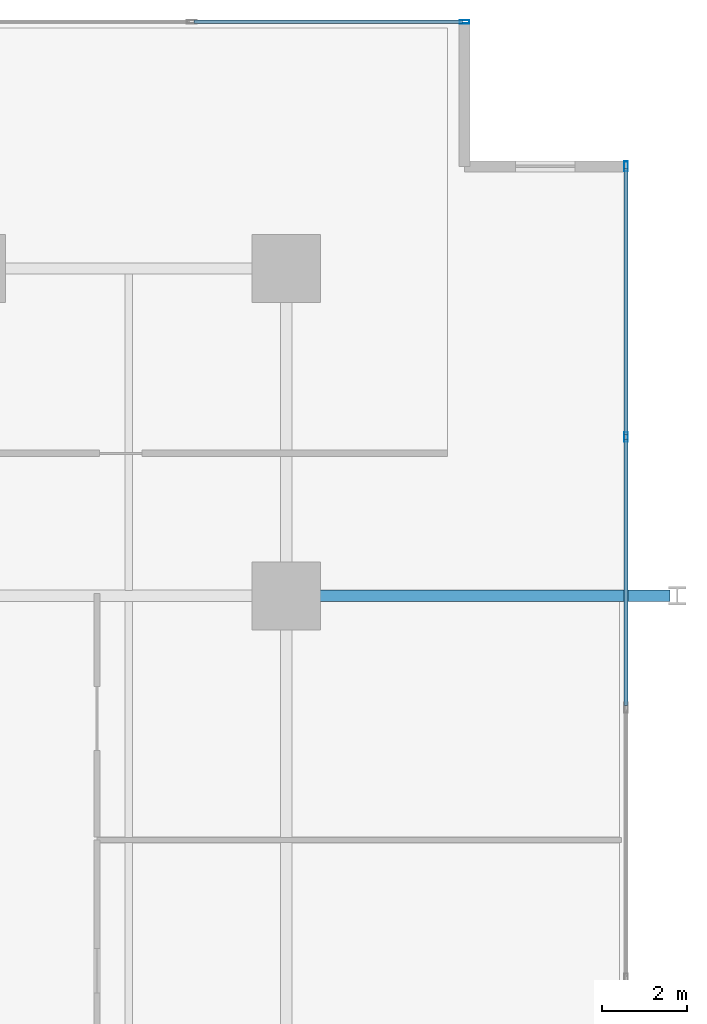
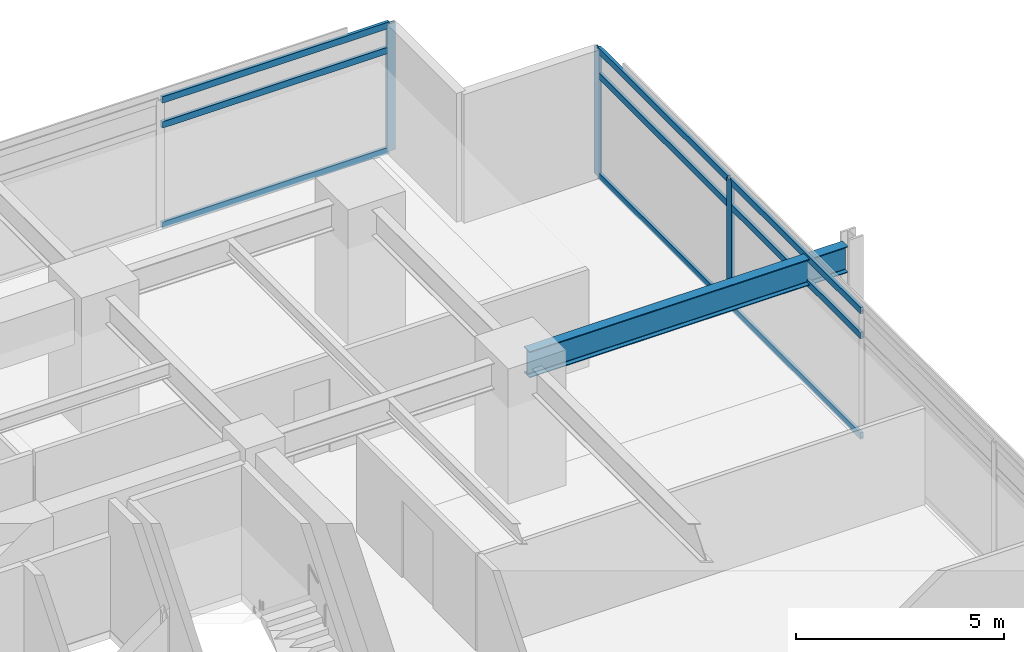
# One storey, part 12 of 23: 12 members, 1 beam, 2 elements without a shape of their own.
"""IFC4 building model written with IfcOpenShell, lengths in metres."""

import ifcopenshell
import ifcopenshell.guid

model = None  # the IFC model being written
_history = None  # IfcOwnerHistory: only IFC2X3 demands one
_inside = {}  # id of a spatial element -> (the spatial element, [elements in it])
_under = {}  # id of a project, library or spatial element -> (it, [spatial elements below it])
_declared = {}  # id of a project -> (the project, [libraries it declares])
_typed = {}  # id of a type object -> (the type object, [elements of that type])
_made_of = {}  # id of a material, layer set ... -> (it, [elements and type objects made of it])


def new_model(schema):
    """Start an empty IFC model of exactly this schema.

    Asked for "IFC4X3", IfcOpenShell would pick the latest addendum, in which some entities
    have other attributes; the version numbers below select the first issue.
    IFC2X3 requires an IfcOwnerHistory on every rooted entity: one is made here for all.
    """
    global model, _history
    if schema == "IFC4X3":
        model = ifcopenshell.file(schema_version=(4, 3, 0, 0))
    else:
        model = ifcopenshell.file(schema=schema)
    _inside.clear()
    _under.clear()
    _declared.clear()
    _typed.clear()
    _made_of.clear()
    _history = None
    if model.schema == "IFC2X3":
        org = make("IfcOrganization", Name="unknown")
        user = make(
            "IfcPersonAndOrganization",
            ThePerson=make("IfcPerson", FamilyName="unknown"),
            TheOrganization=org,
        )
        app = make(
            "IfcApplication",
            ApplicationDeveloper=org,
            Version="unknown",
            ApplicationFullName="unknown",
            ApplicationIdentifier="unknown",
        )
        _history = make(
            "IfcOwnerHistory",
            OwningUser=user,
            OwningApplication=app,
            ChangeAction="ADDED",
            CreationDate=0,
        )
    return model


def make(cls, **values):
    """One entity of the class cls with the attributes given. An attribute that is None is left unset."""
    return model.create_entity(
        cls, **{name: value for name, value in values.items() if value is not None}
    )


def rooted(cls, **values):
    """An entity with a GlobalId (a new one), such as an element, a storey or a relation."""
    return make(cls, GlobalId=ifcopenshell.guid.new(), OwnerHistory=_history, **values)


def si_unit(unit_type, name, prefix=None):
    """IfcSIUnit, for example si_unit("LENGTHUNIT", "METRE", prefix="MILLI")."""
    return make("IfcSIUnit", UnitType=unit_type, Prefix=prefix, Name=name)


def assignment(units):
    """IfcUnitAssignment: the units of a project."""
    return None if units is None else make("IfcUnitAssignment", Units=units)


def point(xyz):
    """IfcCartesianPoint."""
    return None if xyz is None else make("IfcCartesianPoint", Coordinates=xyz)


def direction(xyz):
    """IfcDirection."""
    return None if xyz is None else make("IfcDirection", DirectionRatios=xyz)


def frame(location, z_axis=None, x_axis=None):
    """IfcAxis2Placement3D, a coordinate frame: its origin and axes. An axis left out is left unset."""
    return make(
        "IfcAxis2Placement3D",
        Location=point(location),
        Axis=direction(z_axis),
        RefDirection=direction(x_axis),
    )


def frame_2d(location, x_axis=None):
    """IfcAxis2Placement2D, a coordinate frame in the plane: its origin and x axis."""
    return make(
        "IfcAxis2Placement2D", Location=point(location), RefDirection=direction(x_axis)
    )


def origin():
    """The frame at (0, 0, 0) with its axes left unset."""
    return frame((0.0, 0.0, 0.0))


def origin_2d():
    """The frame at (0, 0) in the plane with its x axis left unset."""
    return frame_2d((0.0, 0.0))


def place(relative_to, where):
    """IfcLocalPlacement: puts the frame where relative to a parent placement (None: the world)."""
    return make(
        "IfcLocalPlacement", PlacementRelTo=relative_to, RelativePlacement=where
    )


def context(
    kind, dimensions, precision=None, world=None, true_north=None, identifier=None
):
    """IfcGeometricRepresentationContext, for example the 3D "Model" context."""
    return make(
        "IfcGeometricRepresentationContext",
        ContextIdentifier=identifier,
        ContextType=kind,
        CoordinateSpaceDimension=dimensions,
        Precision=precision,
        WorldCoordinateSystem=world,
        TrueNorth=true_north,
    )


def subcontext(parent, identifier, kind, view, scale=None):
    """IfcGeometricRepresentationSubContext, for example "Body" below "Model"."""
    return make(
        "IfcGeometricRepresentationSubContext",
        ContextIdentifier=identifier,
        ContextType=kind,
        ParentContext=parent,
        TargetScale=scale,
        TargetView=view,
    )


def project(units=None, contexts=None):
    """IfcProject with its units and contexts."""
    return rooted(
        "IfcProject",
        Name="project",
        RepresentationContexts=contexts,
        UnitsInContext=assignment(units),
    )


def spatial(cls, under=None, at=None, **own):
    """A site, building, storey or space (cls), placed at a placement, below another one or the project."""
    s = rooted(cls, ObjectPlacement=at, **own)
    if under is not None:
        _under.setdefault(under.id(), (under, []))[1].append(s)
    return s


def profile(cls, at=None, kind="AREA", **sizes):
    """A parametric profile (cls). Its sizes go by their IFC names, for example OverallWidth=200.0."""
    return make(cls, ProfileType=kind, Position=at, **sizes)


def hollow_rectangle(**sizes):
    """IfcRectangleHollowProfileDef."""
    return profile("IfcRectangleHollowProfileDef", **sizes)


def i_section(**sizes):
    """IfcIShapeProfileDef."""
    return profile("IfcIShapeProfileDef", **sizes)


def extrude(swept, where, along, depth):
    """IfcExtrudedAreaSolid: the profile swept, set in the frame where, extruded along a direction by depth."""
    return make(
        "IfcExtrudedAreaSolid",
        SweptArea=swept,
        Position=where,
        ExtrudedDirection=direction(along),
        Depth=depth,
    )


def shape(context_of_items, identifier, shape_type, items):
    """IfcShapeRepresentation: the items that make up one representation, for example the "Body"."""
    return make(
        "IfcShapeRepresentation",
        ContextOfItems=context_of_items,
        RepresentationIdentifier=identifier,
        RepresentationType=shape_type,
        Items=items,
    )


def material(Name=None, Category=None):
    """IfcMaterial."""
    return make("IfcMaterial", Name=Name, Category=Category)


def material_profile(
    of_material, cross_section, Name=None, Category=None, Priority=None
):
    """IfcMaterialProfile: a cross section and its material."""
    return make(
        "IfcMaterialProfile",
        Name=Name,
        Material=of_material,
        Profile=cross_section,
        Priority=Priority,
        Category=Category,
    )


def profile_set(profiles, Name=None, composite=None):
    """IfcMaterialProfileSet."""
    return make(
        "IfcMaterialProfileSet",
        Name=Name,
        MaterialProfiles=profiles,
        CompositeProfile=composite,
    )


def made_of(thing, what):
    """Note that an element or type object is made of a material, layer set ...; save() writes the relation."""
    if what is not None:
        _made_of.setdefault(what.id(), (what, []))[1].append(thing)
    return thing


def type_object(cls, material=None, **own):
    """A type object (cls), such as IfcWallType, which elements share."""
    return made_of(rooted(cls, **own), material)


def element(
    cls,
    number,
    at=None,
    inside=None,
    cuts=None,
    type_object=None,
    material=None,
    context=None,
    identifier="Body",
    shape_type=None,
    held_by="IfcProductDefinitionShape",
    body=None,
    shapes=None,
    **own,
):
    """One element of the class cls, such as IfcWall. Its Tag is "e" and its number.

    at: its placement. inside: the storey or other place that contains it. cuts: it is an
    opening in that element (IfcRelVoidsElement). A single representation is given by context,
    identifier, shape_type and body (its items); several are given by shapes. held_by: the class
    of the entity that holds the representations. save() writes the other relations.
    """
    e = rooted(cls, Tag="e%d" % number, ObjectPlacement=at, **own)
    if body is not None:
        shapes = [shape(context, identifier, shape_type, body)]
    if shapes is not None:
        e.Representation = make(held_by, Representations=shapes)
    if inside is not None:
        _inside.setdefault(inside.id(), (inside, []))[1].append(e)
    if cuts is not None:
        rooted(
            "IfcRelVoidsElement", RelatingBuildingElement=cuts, RelatedOpeningElement=e
        )
    if type_object is not None:
        _typed.setdefault(type_object.id(), (type_object, []))[1].append(e)
    return made_of(e, material)


def aggregate(whole, parts):
    """IfcRelAggregates: a whole, such as a stair, and the parts it consists of."""
    return rooted("IfcRelAggregates", RelatingObject=whole, RelatedObjects=parts)


def save(model, path):
    """Write the relations noted so far, then the file.

    IfcRelAggregates (storeys below a building ...), IfcRelContainedInSpatialStructure (elements
    in a storey), IfcRelDefinesByType, IfcRelAssociatesMaterial and IfcRelDeclares: one each for
    every whole, place, type object, material and project.
    """
    for whole, parts in _under.values():
        aggregate(whole, parts)
    for where, things in _inside.values():
        rooted(
            "IfcRelContainedInSpatialStructure",
            RelatedElements=things,
            RelatingStructure=where,
        )
    for kind, things in _typed.values():
        rooted("IfcRelDefinesByType", RelatedObjects=things, RelatingType=kind)
    for what, things in _made_of.values():
        rooted("IfcRelAssociatesMaterial", RelatedObjects=things, RelatingMaterial=what)
    for by, libraries in _declared.values():
        rooted("IfcRelDeclares", RelatingContext=by, RelatedDefinitions=libraries)
    model.write(path)


model = new_model("IFC4")

# Units and contexts
model_context = context("Model", 3, precision=1e-05, world=origin(), true_north=direction((0.0, 1.0)))
body_context = subcontext(model_context, "Body", "Model", "MODEL_VIEW")
ifc_project = project(units=[si_unit("LENGTHUNIT", "METRE"), si_unit("AREAUNIT", "SQUARE_METRE"), si_unit("VOLUMEUNIT", "CUBIC_METRE"), si_unit("PLANEANGLEUNIT", "RADIAN"), si_unit("MASSUNIT", "GRAM", prefix="KILO")], contexts=[model_context])

# Site, building, storey
site_placement = place(None, origin())
site = spatial("IfcSite", under=ifc_project, at=site_placement, CompositionType="ELEMENT")
building_placement = place(site_placement, origin())
building = spatial("IfcBuilding", under=site, at=building_placement, Name="Kovane Verandah Tower", CompositionType="ELEMENT")
storey_placement = place(building_placement, frame((0.0, 0.0, 136.39990234375)))
storey = spatial("IfcBuildingStorey", under=building, at=storey_placement, Name="L31", CompositionType="ELEMENT", Elevation=136.39990234375)

# Beam
ifc_material_1 = material(Name="Steel S355", Category="steel")
ifc_material_profile_1 = material_profile(ifc_material_1, i_section(OverallWidth=0.26806640625, OverallDepth=0.769775390625, WebThickness=0.015625, FlangeThickness=0.025390625, FilletRadius=0.0166015625, at=origin_2d()), Name="UB762x267x197")
ifc_profile_set_1 = profile_set([ifc_material_profile_1], Name="Steel S355")
beam_type = type_object("IfcBeamType", Name="BM-UB762x197", PredefinedType="BEAM", material=ifc_profile_set_1)
beam_placement = place(storey_placement, frame((58.580078125, 36.5, 3.375244140625), z_axis=(1.0, 0.0, 0.0), x_axis=(0.0, 1.0, 0.0)))
element("IfcBeam", 1, at=beam_placement, inside=storey, type_object=beam_type, Name="L31 Primary Tower Girder G-VE2", PredefinedType="BEAM", context=body_context, shape_type="SweptSolid", body=[
    extrude(i_section(OverallWidth=0.26806640625, OverallDepth=0.769775390625, WebThickness=0.015625, FlangeThickness=0.025390625, FilletRadius=0.0166015625, at=origin_2d()), origin(), (0.0, 0.0, 1.0), 8.83984375),
])

# Curtain wall, members
ifc_material_2 = material(Name="Champagne Anodised Aluminium Frame with Low-E Clear Laminated Glass", Category="aluminium")
curtain_wall_type = type_object("IfcCurtainWallType", Name="CW-SYS-03-MID", PredefinedType="NOTDEFINED", material=ifc_material_2)
curtain_wall_1_placement = place(storey_placement, origin())
curtain_wall_1 = element("IfcCurtainWall", 2, at=curtain_wall_1_placement, inside=storey, type_object=curtain_wall_type, Name="L31 E Unitised Curtain Wall", PredefinedType="NOTDEFINED")
ifc_material_3 = material(Name="Champagne Anodised Aluminium 6063-T6", Category="aluminium")
ifc_material_profile_2 = material_profile(ifc_material_3, hollow_rectangle(XDim=0.0849609375, YDim=0.22998046875, WallThickness=0.00390625, at=origin_2d()), Name="AL85x230x4")
ifc_profile_set_2 = profile_set([ifc_material_profile_2], Name="Champagne Anodised Aluminium 6063-T6")
member_type_1 = type_object("IfcMemberType", Name="CW-MUL-85x230", PredefinedType="MULLION", material=ifc_profile_set_2)
member_1_placement = place(storey_placement, frame((66.3896484375, 40.233642578125, 0.02001953125), z_axis=(0.0, 0.0, 1.0), x_axis=(1.0, 0.0, 0.0)))
member_1 = element("IfcMember", 3, at=member_1_placement, type_object=member_type_1, Name="L31 E Unitised Curtain Wall Mullion 6", PredefinedType="MULLION", context=body_context, shape_type="SweptSolid", body=[
    extrude(hollow_rectangle(XDim=0.0849609375, YDim=0.22998046875, WallThickness=0.00390625, at=origin_2d()), origin(), (0.0, 0.0, 1.0), 3.735107421875),
])
member_2_placement = place(storey_placement, frame((66.3896484375, 46.6005859375, 0.02001953125), z_axis=(0.0, 0.0, 1.0), x_axis=(1.0, 0.0, 0.0)))
member_2 = element("IfcMember", 4, at=member_2_placement, type_object=member_type_1, Name="L31 E Unitised Curtain Wall Mullion 7", PredefinedType="MULLION", context=body_context, shape_type="SweptSolid", body=[
    extrude(hollow_rectangle(XDim=0.0849609375, YDim=0.22998046875, WallThickness=0.00390625, at=origin_2d()), origin(), (0.0, 0.0, 1.0), 3.735107421875),
])

# Curtain wall, member
curtain_wall_2_placement = place(storey_placement, origin())
curtain_wall_2 = element("IfcCurtainWall", 5, at=curtain_wall_2_placement, inside=storey, type_object=curtain_wall_type, Name="L31 N Unitised Curtain Wall", PredefinedType="NOTDEFINED")
member_3_placement = place(storey_placement, frame((62.589599609375, 50.00048828125, 0.02001953125), z_axis=(0.0, 0.0, 1.0), x_axis=(0.0, 1.0, 0.0)))
member_3 = element("IfcMember", 6, at=member_3_placement, type_object=member_type_1, Name="L31 N Unitised Curtain Wall Mullion 1", PredefinedType="MULLION", context=body_context, shape_type="SweptSolid", body=[
    extrude(hollow_rectangle(XDim=0.0849609375, YDim=0.22998046875, WallThickness=0.00390625, at=origin_2d()), origin(), (0.0, 0.0, 1.0), 3.735107421875),
])

# Member
ifc_material_profile_3 = material_profile(ifc_material_3, hollow_rectangle(XDim=0.0849609375, YDim=0.18994140625, WallThickness=0.00390625, at=origin_2d()), Name="AL85x190x4")
ifc_profile_set_3 = profile_set([ifc_material_profile_3], Name="Champagne Anodised Aluminium 6063-T6")
member_type_2 = type_object("IfcMemberType", Name="CW-TRN-85x190", PredefinedType="USERDEFINED", material=ifc_profile_set_3)
member_4_placement = place(storey_placement, frame((66.3896484375, 33.916748046875, 0.050048828125), z_axis=(0.0, 1.0, 0.0), x_axis=(-1.0, 0.0, 0.0)))
member_4 = element("IfcMember", 7, at=member_4_placement, type_object=member_type_2, Name="L31 E Unitised Curtain Wall Transom TB Bay 5", ObjectType="TRANSOM", PredefinedType="USERDEFINED", context=body_context, shape_type="SweptSolid", body=[
    extrude(hollow_rectangle(XDim=0.0849609375, YDim=0.18994140625, WallThickness=0.00390625, at=origin_2d()), origin(), (0.0, 0.0, 1.0), 6.266845703125),
])

member_5_placement = place(storey_placement, frame((66.3896484375, 33.916748046875, 2.9951171875), z_axis=(0.0, 1.0, 0.0), x_axis=(-1.0, 0.0, 0.0)))
member_5 = element("IfcMember", 8, at=member_5_placement, type_object=member_type_2, Name="L31 E Unitised Curtain Wall Transom TM Bay 5", ObjectType="TRANSOM", PredefinedType="USERDEFINED", context=body_context, shape_type="SweptSolid", body=[
    extrude(hollow_rectangle(XDim=0.0849609375, YDim=0.18994140625, WallThickness=0.00390625, at=origin_2d()), origin(), (0.0, 0.0, 1.0), 6.266845703125),
])

member_6_placement = place(storey_placement, frame((66.3896484375, 33.916748046875, 3.72509765625), z_axis=(0.0, 1.0, 0.0), x_axis=(-1.0, 0.0, 0.0)))
member_6 = element("IfcMember", 9, at=member_6_placement, type_object=member_type_2, Name="L31 E Unitised Curtain Wall Transom TT Bay 5", ObjectType="TRANSOM", PredefinedType="USERDEFINED", context=body_context, shape_type="SweptSolid", body=[
    extrude(hollow_rectangle(XDim=0.0849609375, YDim=0.18994140625, WallThickness=0.00390625, at=origin_2d()), origin(), (0.0, 0.0, 1.0), 6.266845703125),
])

member_7_placement = place(storey_placement, frame((66.3896484375, 40.28369140625, 0.050048828125), z_axis=(0.0, 1.0, 0.0), x_axis=(-1.0, 0.0, 0.0)))
member_7 = element("IfcMember", 10, at=member_7_placement, type_object=member_type_2, Name="L31 E Unitised Curtain Wall Transom TB Bay 6", ObjectType="TRANSOM", PredefinedType="USERDEFINED", context=body_context, shape_type="SweptSolid", body=[
    extrude(hollow_rectangle(XDim=0.0849609375, YDim=0.18994140625, WallThickness=0.00390625, at=origin_2d()), origin(), (0.0, 0.0, 1.0), 6.266845703125),
])

member_8_placement = place(storey_placement, frame((66.3896484375, 40.28369140625, 2.9951171875), z_axis=(0.0, 1.0, 0.0), x_axis=(-1.0, 0.0, 0.0)))
member_8 = element("IfcMember", 11, at=member_8_placement, type_object=member_type_2, Name="L31 E Unitised Curtain Wall Transom TM Bay 6", ObjectType="TRANSOM", PredefinedType="USERDEFINED", context=body_context, shape_type="SweptSolid", body=[
    extrude(hollow_rectangle(XDim=0.0849609375, YDim=0.18994140625, WallThickness=0.00390625, at=origin_2d()), origin(), (0.0, 0.0, 1.0), 6.266845703125),
])

member_9_placement = place(storey_placement, frame((66.3896484375, 40.28369140625, 3.72509765625), z_axis=(0.0, 1.0, 0.0), x_axis=(-1.0, 0.0, 0.0)))
member_9 = element("IfcMember", 12, at=member_9_placement, type_object=member_type_2, Name="L31 E Unitised Curtain Wall Transom TT Bay 6", ObjectType="TRANSOM", PredefinedType="USERDEFINED", context=body_context, shape_type="SweptSolid", body=[
    extrude(hollow_rectangle(XDim=0.0849609375, YDim=0.18994140625, WallThickness=0.00390625, at=origin_2d()), origin(), (0.0, 0.0, 1.0), 6.266845703125),
])

aggregate(curtain_wall_1, [member_1, member_2, member_4, member_5, member_6, member_7, member_8, member_9])

member_10_placement = place(storey_placement, frame((62.539794921875, 50.00048828125, 0.050048828125), z_axis=(-1.0, 0.0, 0.0), x_axis=(0.0, -1.0, 0.0)))
member_10 = element("IfcMember", 13, at=member_10_placement, type_object=member_type_2, Name="L31 N Unitised Curtain Wall Transom TB Bay 1", ObjectType="TRANSOM", PredefinedType="USERDEFINED", context=body_context, shape_type="SweptSolid", body=[
    extrude(hollow_rectangle(XDim=0.0849609375, YDim=0.18994140625, WallThickness=0.00390625, at=origin_2d()), origin(), (0.0, 0.0, 1.0), 6.31103515625),
])

member_11_placement = place(storey_placement, frame((62.539794921875, 50.00048828125, 2.9951171875), z_axis=(-1.0, 0.0, 0.0), x_axis=(0.0, -1.0, 0.0)))
member_11 = element("IfcMember", 14, at=member_11_placement, type_object=member_type_2, Name="L31 N Unitised Curtain Wall Transom TM Bay 1", ObjectType="TRANSOM", PredefinedType="USERDEFINED", context=body_context, shape_type="SweptSolid", body=[
    extrude(hollow_rectangle(XDim=0.0849609375, YDim=0.18994140625, WallThickness=0.00390625, at=origin_2d()), origin(), (0.0, 0.0, 1.0), 6.31103515625),
])

member_12_placement = place(storey_placement, frame((62.539794921875, 50.00048828125, 3.72509765625), z_axis=(-1.0, 0.0, 0.0), x_axis=(0.0, -1.0, 0.0)))
member_12 = element("IfcMember", 15, at=member_12_placement, type_object=member_type_2, Name="L31 N Unitised Curtain Wall Transom TT Bay 1", ObjectType="TRANSOM", PredefinedType="USERDEFINED", context=body_context, shape_type="SweptSolid", body=[
    extrude(hollow_rectangle(XDim=0.0849609375, YDim=0.18994140625, WallThickness=0.00390625, at=origin_2d()), origin(), (0.0, 0.0, 1.0), 6.31103515625),
])

aggregate(curtain_wall_2, [member_3, member_10, member_11, member_12])

save(model, "model.ifc")
